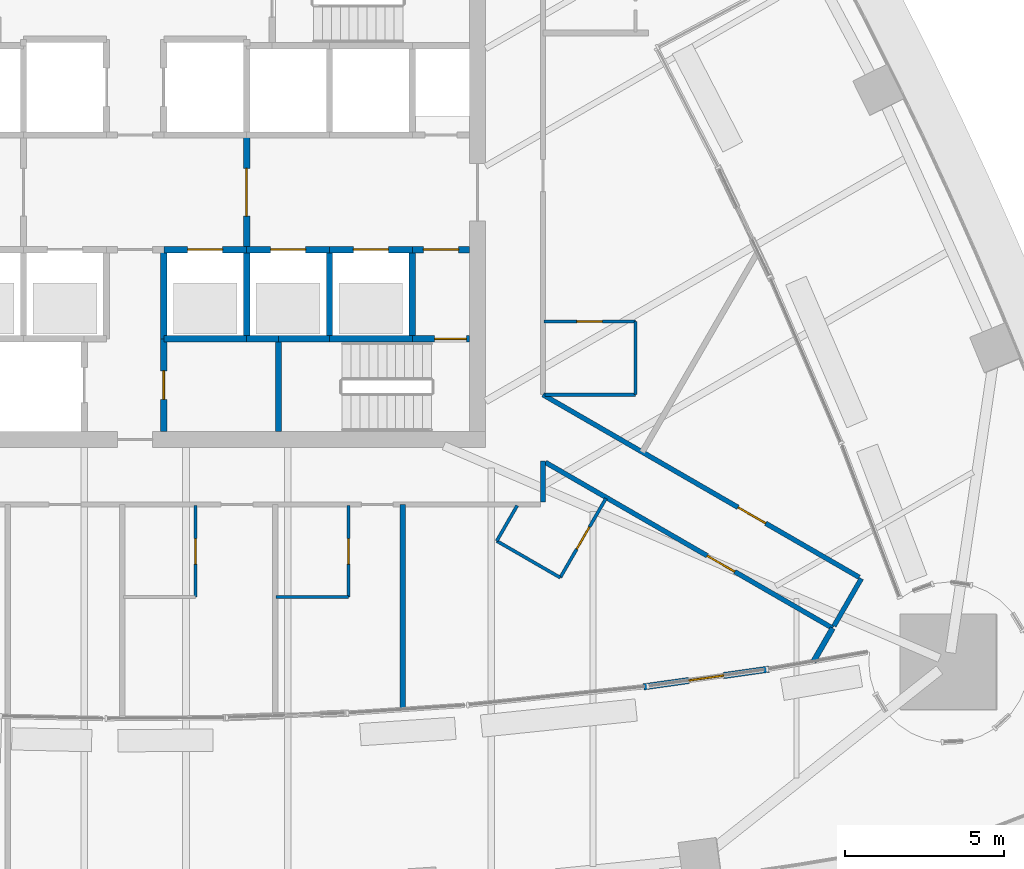
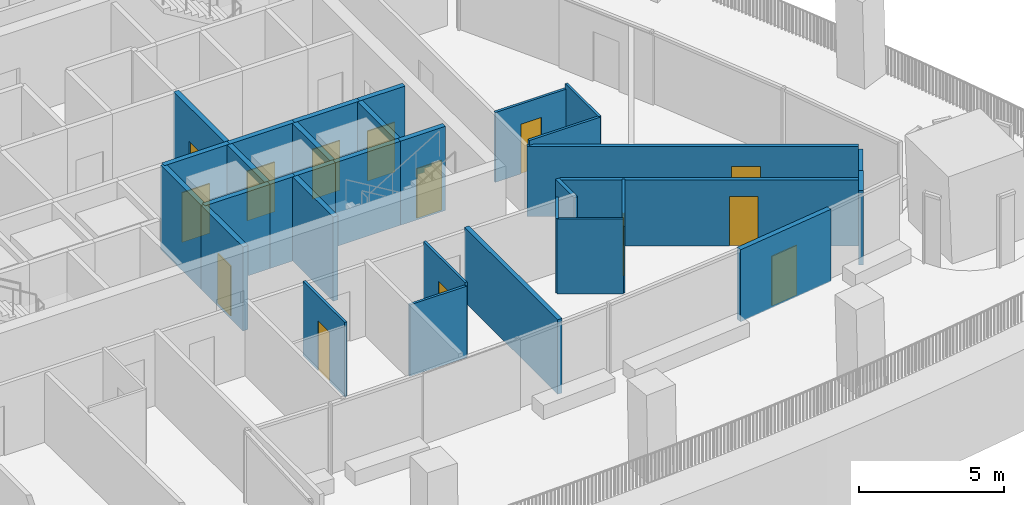
# One storey, part 13 of 22: 32 walls, 14 doors, 14 openings.
"""IFC4 building model written with IfcOpenShell, lengths in metres."""

from ifc_helpers import new_model, si_unit, direction, frame, frame_2d, origin, place, context, subcontext, project, spatial, rectangle, extrude, material, layer, layer_set, type_object, element, fill, save


model = new_model("IFC4")

# Units and contexts
model_context = context("Model", 3, precision=1e-05, world=origin(), true_north=direction((0.0, 1.0)))
body_context = subcontext(model_context, "Body", "Model", "MODEL_VIEW")
ifc_project = project(units=[si_unit("LENGTHUNIT", "METRE"), si_unit("AREAUNIT", "SQUARE_METRE"), si_unit("VOLUMEUNIT", "CUBIC_METRE"), si_unit("PLANEANGLEUNIT", "RADIAN"), si_unit("MASSUNIT", "GRAM", prefix="KILO")], contexts=[model_context])

# Site, building, storey
site_placement = place(None, origin())
site = spatial("IfcSite", under=ifc_project, at=site_placement, CompositionType="ELEMENT")
building_placement = place(site_placement, origin())
building = spatial("IfcBuilding", under=site, at=building_placement, Name="Sierra Prisma Convention Tower", CompositionType="ELEMENT")
storey_placement = place(building_placement, frame((0.0, 0.0, 103.5)))
storey = spatial("IfcBuildingStorey", under=building, at=storey_placement, Name="L22", CompositionType="ELEMENT", Elevation=103.5)

# Wall, opening, door
ifc_material_1 = material(Name="Gypsum board partition", Category="gypsum")
ifc_layer_1 = layer(ifc_material_1, 0.10009765625)
ifc_layer_set_1 = layer_set([ifc_layer_1], Name="Bathroom partition 100")
wall_type_1 = type_object("IfcWallType", Name="Bathroom partition 100", PredefinedType="PARTITIONING", material=ifc_layer_set_1)
wall_1_placement = place(storey_placement, frame((1.89990234375, -9.830078125, 0.0), z_axis=(0.0, 0.0, 1.0), x_axis=(0.0, -1.0, 0.0)))
wall_1 = element("IfcWall", 1, at=wall_1_placement, inside=storey, type_object=wall_type_1, Name="Partition L22 bath 14", PredefinedType="PARTITIONING", context=body_context, shape_type="SweptSolid", body=[
    extrude(rectangle(XDim=2.869873046875, YDim=0.10009765625, at=frame_2d((1.43505859375, 0.0))), origin(), (0.0, 0.0, 1.0), 3.14990234375),
])
opening_1_placement = place(wall_1_placement, frame((1.034912109375, 0.0, 0.0)))
opening_1 = element("IfcOpeningElement", 2, at=opening_1_placement, cuts=wall_1, Name="Opening L22-D012", PredefinedType="OPENING", context=body_context, shape_type="SweptSolid", body=[
    extrude(rectangle(XDim=0.800048828125, YDim=2.10009765625, at=frame_2d((0.39990234375, 1.050048828125))), frame((0.0, 0.050048828125, 0.0), z_axis=(0.0, -1.0, 0.0), x_axis=(1.0, 0.0, 0.0)), (0.0, 0.0, 1.0), 0.10009765625),
])
ifc_material_2 = material(Name="Solid core timber door leaf", Category="wood")
door_type_1 = type_object("IfcDoorType", Name="Door 800x2100 plain", OperationType="SINGLE_SWING_LEFT", PredefinedType="DOOR", material=ifc_material_2)
door_1_placement = place(opening_1_placement, origin())
door_1 = element("IfcDoor", 3, at=door_1_placement, inside=storey, type_object=door_type_1, Name="Door L22 23", OperationType="SINGLE_SWING_LEFT", OverallHeight=2.10009765625, OverallWidth=0.800048828125, PredefinedType="DOOR", context=body_context, shape_type="SweptSolid", body=[
    extrude(rectangle(XDim=0.800048828125, YDim=2.10009765625, at=frame_2d((0.39990234375, 1.050048828125))), frame((0.0, 0.02490234375, 0.0), z_axis=(0.0, -1.0, 0.0), x_axis=(1.0, 0.0, 0.0)), (0.0, 0.0, 1.0), 0.050048828125),
])
fill(opening_1, door_1)

wall_2_placement = place(storey_placement, frame((6.699951171875, -9.830078125, 0.0), z_axis=(0.0, 0.0, 1.0), x_axis=(0.0, -1.0, 0.0)))
wall_2 = element("IfcWall", 4, at=wall_2_placement, inside=storey, type_object=wall_type_1, Name="Partition L22 bath 18", PredefinedType="PARTITIONING", context=body_context, shape_type="SweptSolid", body=[
    extrude(rectangle(XDim=2.869873046875, YDim=0.10009765625, at=frame_2d((1.43505859375, 0.0))), origin(), (0.0, 0.0, 1.0), 3.14990234375),
])
opening_2_placement = place(wall_2_placement, frame((1.034912109375, 0.0, 0.0)))
opening_2 = element("IfcOpeningElement", 5, at=opening_2_placement, cuts=wall_2, Name="Opening L22-D013", PredefinedType="OPENING", context=body_context, shape_type="SweptSolid", body=[
    extrude(rectangle(XDim=0.800048828125, YDim=2.10009765625, at=frame_2d((0.39990234375, 1.050048828125))), frame((0.0, 0.050048828125, 0.0), z_axis=(0.0, -1.0, 0.0), x_axis=(1.0, 0.0, 0.0)), (0.0, 0.0, 1.0), 0.10009765625),
])
door_2_placement = place(opening_2_placement, origin())
door_2 = element("IfcDoor", 6, at=door_2_placement, inside=storey, type_object=door_type_1, Name="Door L22 25", OperationType="SINGLE_SWING_RIGHT", OverallHeight=2.10009765625, OverallWidth=0.800048828125, PredefinedType="DOOR", context=body_context, shape_type="SweptSolid", body=[
    extrude(rectangle(XDim=0.800048828125, YDim=2.10009765625, at=frame_2d((0.39990234375, 1.050048828125))), frame((0.0, 0.02490234375, 0.0), z_axis=(0.0, -1.0, 0.0), x_axis=(1.0, 0.0, 0.0)), (0.0, 0.0, 1.0), 0.050048828125),
])
fill(opening_2, door_2)

# Wall
wall_3_placement = place(storey_placement, frame((6.699951171875, -12.699951171875, 0.0), z_axis=(0.0, 0.0, 1.0), x_axis=(-1.0, 0.0, 0.0)))
element("IfcWall", 7, at=wall_3_placement, inside=storey, type_object=wall_type_1, Name="Partition L22 bath 19", PredefinedType="PARTITIONING", context=body_context, shape_type="SweptSolid", body=[
    extrude(rectangle(XDim=2.27001953125, YDim=0.10009765625, at=frame_2d((1.135009765625, 0.0))), origin(), (0.0, 0.0, 1.0), 3.01708984375),
])

# Wall, opening, door
wall_4_placement = place(storey_placement, frame((14.77685546875, -9.605224609375, 0.0), z_axis=(0.0, 0.0, 1.0), x_axis=(-0.499999802827, -0.866025517622, 0.0)))
wall_4 = element("IfcWall", 8, at=wall_4_placement, inside=storey, type_object=wall_type_1, Name="Partition L22 bath 20", PredefinedType="PARTITIONING", context=body_context, shape_type="SweptSolid", body=[
    extrude(rectangle(XDim=2.8701171875, YDim=0.10009765625, at=frame_2d((1.43505859375, 0.0))), origin(), (0.0, 0.0, 1.0), 2.797119140625),
])
opening_3_placement = place(wall_4_placement, frame((1.034912109375, 0.0, 0.0)))
opening_3 = element("IfcOpeningElement", 9, at=opening_3_placement, cuts=wall_4, Name="Opening L22-D014", PredefinedType="OPENING", context=body_context, shape_type="SweptSolid", body=[
    extrude(rectangle(XDim=0.800048828125, YDim=2.10009765625, at=frame_2d((0.39990234375, 1.050048828125))), frame((0.0, 0.050048828125, 0.0), z_axis=(0.0, -1.0, 0.0), x_axis=(1.0, 0.0, 0.0)), (0.0, 0.0, 1.0), 0.10009765625),
])
door_3_placement = place(opening_3_placement, origin())
door_3 = element("IfcDoor", 10, at=door_3_placement, inside=storey, type_object=door_type_1, Name="Door L22 27", OperationType="SINGLE_SWING_RIGHT", OverallHeight=2.10009765625, OverallWidth=0.800048828125, PredefinedType="DOOR", context=body_context, shape_type="SweptSolid", body=[
    extrude(rectangle(XDim=0.800048828125, YDim=2.10009765625, at=frame_2d((0.39990234375, 1.050048828125))), frame((0.0, 0.02490234375, 0.0), z_axis=(0.0, -1.0, 0.0), x_axis=(1.0, 0.0, 0.0)), (0.0, 0.0, 1.0), 0.050048828125),
])
fill(opening_3, door_3)

# Walls
wall_5_placement = place(storey_placement, frame((13.341796875, -12.0908203125, 0.0), z_axis=(0.0, 0.0, 1.0), x_axis=(-0.86602648383, 0.499998129301, 0.0)))
element("IfcWall", 11, at=wall_5_placement, inside=storey, type_object=wall_type_1, Name="Partition L22 bath 21", PredefinedType="PARTITIONING", context=body_context, shape_type="SweptSolid", body=[
    extrude(rectangle(XDim=2.2998046875, YDim=0.10009765625, at=frame_2d((1.14990234375, 0.0))), origin(), (0.0, 0.0, 1.0), 3.14990234375),
])
wall_6_placement = place(storey_placement, frame((11.35009765625, -10.94091796875, 0.0), z_axis=(0.0, 0.0, 1.0), x_axis=(0.499865263774, 0.866103179807, 0.0)))
element("IfcWall", 12, at=wall_6_placement, inside=storey, type_object=wall_type_1, Name="Partition L22 bath 22", PredefinedType="PARTITIONING", context=body_context, shape_type="SweptSolid", body=[
    extrude(rectangle(XDim=1.282470703125, YDim=0.10009765625, at=frame_2d((0.64111328125, 0.0))), origin(), (0.0, 0.0, 1.0), 3.14990234375),
])

# Wall, opening, door
wall_7_placement = place(storey_placement, frame((12.830078125, -4.05078125, 0.0), z_axis=(0.0, 0.0, 1.0), x_axis=(1.0, 0.0, 0.0)))
wall_7 = element("IfcWall", 13, at=wall_7_placement, inside=storey, type_object=wall_type_1, Name="Partition L22 bath 23", PredefinedType="PARTITIONING", context=body_context, shape_type="SweptSolid", body=[
    extrude(rectangle(XDim=2.869873046875, YDim=0.10009765625, at=frame_2d((1.43505859375, 0.0))), origin(), (0.0, 0.0, 1.0), 2.947021484375),
])
opening_4_placement = place(wall_7_placement, frame((1.034912109375, 0.0, 0.0)))
opening_4 = element("IfcOpeningElement", 14, at=opening_4_placement, cuts=wall_7, Name="Opening L22-D015", PredefinedType="OPENING", context=body_context, shape_type="SweptSolid", body=[
    extrude(rectangle(XDim=0.800048828125, YDim=2.10009765625, at=frame_2d((0.39990234375, 1.050048828125))), frame((0.0, 0.050048828125, 0.0), z_axis=(0.0, -1.0, 0.0), x_axis=(1.0, 0.0, 0.0)), (0.0, 0.0, 1.0), 0.10009765625),
])
door_4_placement = place(opening_4_placement, origin())
door_4 = element("IfcDoor", 15, at=door_4_placement, inside=storey, type_object=door_type_1, Name="Door L22 30", OperationType="SINGLE_SWING_LEFT", OverallHeight=2.10009765625, OverallWidth=0.800048828125, PredefinedType="DOOR", context=body_context, shape_type="SweptSolid", body=[
    extrude(rectangle(XDim=0.800048828125, YDim=2.10009765625, at=frame_2d((0.39990234375, 1.050048828125))), frame((0.0, 0.02490234375, 0.0), z_axis=(0.0, -1.0, 0.0), x_axis=(1.0, 0.0, 0.0)), (0.0, 0.0, 1.0), 0.050048828125),
])
fill(opening_4, door_4)

# Walls
wall_8_placement = place(storey_placement, frame((15.699951171875, -4.05078125, 0.0), z_axis=(0.0, 0.0, 1.0), x_axis=(0.0, -1.0, 0.0)))
element("IfcWall", 16, at=wall_8_placement, inside=storey, type_object=wall_type_1, Name="Partition L22 bath 24", PredefinedType="PARTITIONING", context=body_context, shape_type="SweptSolid", body=[
    extrude(rectangle(XDim=2.300048828125, YDim=0.10009765625, at=frame_2d((1.14990234375, 0.0))), origin(), (0.0, 0.0, 1.0), 3.14990234375),
])
wall_9_placement = place(storey_placement, frame((15.699951171875, -6.350830078125, 0.0), z_axis=(0.0, 0.0, 1.0), x_axis=(-1.0, 0.0, 0.0)))
element("IfcWall", 17, at=wall_9_placement, inside=storey, type_object=wall_type_1, Name="Partition L22 bath 25", PredefinedType="PARTITIONING", context=body_context, shape_type="SweptSolid", body=[
    extrude(rectangle(XDim=2.83984375, YDim=0.10009765625, at=frame_2d((1.419921875, 0.0))), origin(), (0.0, 0.0, 1.0), 3.14990234375),
])

# Wall, opening, door
ifc_material_3 = material(Name="Concrete C30/37", Category="concrete")
ifc_layer_2 = layer(ifc_material_3, 0.199951171875)
ifc_layer_set_2 = layer_set([ifc_layer_2], Name="Core wall RC 200 C30/37")
wall_type_2 = type_object("IfcWallType", Name="Core wall RC 200 C30/37", PredefinedType="SOLIDWALL", material=ifc_layer_set_2)
wall_10_placement = place(storey_placement, frame((0.89990234375, -4.60009765625, 0.0), z_axis=(0.0, 0.0, 1.0), x_axis=(0.0, -1.0, 0.0)))
wall_10 = element("IfcWall", 18, at=wall_10_placement, inside=storey, type_object=wall_type_2, Name="Core wall L22 35", PredefinedType="SOLIDWALL", context=body_context, shape_type="SweptSolid", body=[
    extrude(rectangle(XDim=2.89990234375, YDim=0.199951171875, at=frame_2d((1.449951171875, 0.0))), origin(), (0.0, 0.0, 1.0), 3.550048828125),
])
opening_5_placement = place(wall_10_placement, frame((1.0, 0.0, 0.0)))
opening_5 = element("IfcOpeningElement", 19, at=opening_5_placement, cuts=wall_10, Name="Opening L22-D037", PredefinedType="OPENING", context=body_context, shape_type="SweptSolid", body=[
    extrude(rectangle(XDim=0.89990234375, YDim=2.10009765625, at=frame_2d((0.449951171875, 1.050048828125))), frame((0.0, 0.10009765625, 0.0), z_axis=(0.0, -1.0, 0.0), x_axis=(1.0, 0.0, 0.0)), (0.0, 0.0, 1.0), 0.199951171875),
])
ifc_material_4 = material(Name="Steel fire door leaf", Category="steel")
door_type_2 = type_object("IfcDoorType", Name="Door 900x2100 FD30S", OperationType="SINGLE_SWING_LEFT", PredefinedType="DOOR", material=ifc_material_4)
door_5_placement = place(opening_5_placement, origin())
door_5 = element("IfcDoor", 20, at=door_5_placement, inside=storey, type_object=door_type_2, Name="Door L22 52", OperationType="SINGLE_SWING_RIGHT", OverallHeight=2.10009765625, OverallWidth=0.89990234375, PredefinedType="DOOR", context=body_context, shape_type="SweptSolid", body=[
    extrude(rectangle(XDim=0.89990234375, YDim=2.10009765625, at=frame_2d((0.449951171875, 1.050048828125))), frame((0.0, 0.02490234375, 0.0), z_axis=(0.0, -1.0, 0.0), x_axis=(1.0, 0.0, 0.0)), (0.0, 0.0, 1.0), 0.050048828125),
])
fill(opening_5, door_5)

# Walls
wall_11_placement = place(storey_placement, frame((3.5, -4.60009765625, 0.0), z_axis=(0.0, 0.0, 1.0), x_axis=(-1.0, 0.0, 0.0)))
element("IfcWall", 21, at=wall_11_placement, inside=storey, type_object=wall_type_2, Name="Core wall L22 36", PredefinedType="SOLIDWALL", context=body_context, shape_type="SweptSolid", body=[
    extrude(rectangle(XDim=2.60009765625, YDim=0.199951171875, at=frame_2d((1.300048828125, 0.0))), origin(), (0.0, 0.0, 1.0), 3.550048828125),
])
wall_12_placement = place(storey_placement, frame((0.89990234375, -1.800048828125, 0.0), z_axis=(0.0, 0.0, 1.0), x_axis=(0.0, -1.0, 0.0)))
element("IfcWall", 22, at=wall_12_placement, inside=storey, type_object=wall_type_2, Name="Core wall L22 37", PredefinedType="SOLIDWALL", context=body_context, shape_type="SweptSolid", body=[
    extrude(rectangle(XDim=2.800048828125, YDim=0.199951171875, at=frame_2d((1.39990234375, 0.0))), origin(), (0.0, 0.0, 1.0), 3.550048828125),
])

# Wall, opening, door
wall_13_placement = place(storey_placement, frame((0.89990234375, -1.800048828125, 0.0), z_axis=(0.0, 0.0, 1.0), x_axis=(1.0, 0.0, 0.0)))
wall_13 = element("IfcWall", 23, at=wall_13_placement, inside=storey, type_object=wall_type_2, Name="Core wall L22 38", PredefinedType="SOLIDWALL", context=body_context, shape_type="SweptSolid", body=[
    extrude(rectangle(XDim=2.60009765625, YDim=0.199951171875, at=frame_2d((1.300048828125, 0.0))), origin(), (0.0, 0.0, 1.0), 3.550048828125),
])
opening_6_placement = place(wall_13_placement, frame((0.75, 0.0, 0.0)))
opening_6 = element("IfcOpeningElement", 24, at=opening_6_placement, cuts=wall_13, Name="Opening L22-D019", PredefinedType="OPENING", context=body_context, shape_type="SweptSolid", body=[
    extrude(rectangle(XDim=1.10009765625, YDim=2.10009765625, at=frame_2d((0.550048828125, 1.050048828125))), frame((0.0, 0.10009765625, 0.0), z_axis=(0.0, -1.0, 0.0), x_axis=(1.0, 0.0, 0.0)), (0.0, 0.0, 1.0), 0.199951171875),
])
ifc_material_5 = material(Name="Steel fire door leaf", Category="steel")
door_type_3 = type_object("IfcDoorType", Name="Door 1100x2100 EI 90 sliding lift landing", OperationType="SLIDING_TO_LEFT", PredefinedType="DOOR", material=ifc_material_5)
door_6_placement = place(opening_6_placement, origin())
door_6 = element("IfcDoor", 25, at=door_6_placement, inside=storey, type_object=door_type_3, Name="Door L22 34", OperationType="SLIDING_TO_RIGHT", OverallHeight=2.10009765625, OverallWidth=1.10009765625, PredefinedType="DOOR", context=body_context, shape_type="SweptSolid", body=[
    extrude(rectangle(XDim=1.10009765625, YDim=2.10009765625, at=frame_2d((0.550048828125, 1.050048828125))), frame((0.0, 0.02490234375, 0.0), z_axis=(0.0, -1.0, 0.0), x_axis=(1.0, 0.0, 0.0)), (0.0, 0.0, 1.0), 0.050048828125),
])
fill(opening_6, door_6)

# Walls
wall_14_placement = place(storey_placement, frame((4.5, -4.60009765625, 0.0), z_axis=(0.0, 0.0, 1.0), x_axis=(-1.0, 0.0, 0.0)))
element("IfcWall", 26, at=wall_14_placement, inside=storey, type_object=wall_type_2, Name="Core wall L22 43", PredefinedType="SOLIDWALL", context=body_context, shape_type="SweptSolid", body=[
    extrude(rectangle(XDim=1.0, YDim=0.199951171875, at=frame_2d((0.5, 0.0))), origin(), (0.0, 0.0, 1.0), 3.550048828125),
])
wall_15_placement = place(storey_placement, frame((3.5, -4.60009765625, 0.0), z_axis=(0.0, 0.0, 1.0), x_axis=(0.0, 1.0, 0.0)))
element("IfcWall", 27, at=wall_15_placement, inside=storey, type_object=wall_type_2, Name="Core wall L22 44", PredefinedType="SOLIDWALL", context=body_context, shape_type="SweptSolid", body=[
    extrude(rectangle(XDim=2.800048828125, YDim=0.199951171875, at=frame_2d((1.39990234375, 0.0))), origin(), (0.0, 0.0, 1.0), 3.550048828125),
])

# Wall, opening, door
wall_16_placement = place(storey_placement, frame((3.5, -1.800048828125, 0.0), z_axis=(0.0, 0.0, 1.0), x_axis=(1.0, 0.0, 0.0)))
wall_16 = element("IfcWall", 28, at=wall_16_placement, inside=storey, type_object=wall_type_2, Name="Core wall L22 45", PredefinedType="SOLIDWALL", context=body_context, shape_type="SweptSolid", body=[
    extrude(rectangle(XDim=2.60009765625, YDim=0.199951171875, at=frame_2d((1.300048828125, 0.0))), origin(), (0.0, 0.0, 1.0), 3.550048828125),
])
opening_7_placement = place(wall_16_placement, frame((0.75, 0.0, 0.0)))
opening_7 = element("IfcOpeningElement", 29, at=opening_7_placement, cuts=wall_16, Name="Opening L22-D020", PredefinedType="OPENING", context=body_context, shape_type="SweptSolid", body=[
    extrude(rectangle(XDim=1.10009765625, YDim=2.10009765625, at=frame_2d((0.550048828125, 1.050048828125))), frame((0.0, 0.10009765625, 0.0), z_axis=(0.0, -1.0, 0.0), x_axis=(1.0, 0.0, 0.0)), (0.0, 0.0, 1.0), 0.199951171875),
])
door_7_placement = place(opening_7_placement, origin())
door_7 = element("IfcDoor", 30, at=door_7_placement, inside=storey, type_object=door_type_3, Name="Door L22 35", OperationType="SLIDING_TO_LEFT", OverallHeight=2.10009765625, OverallWidth=1.10009765625, PredefinedType="DOOR", context=body_context, shape_type="SweptSolid", body=[
    extrude(rectangle(XDim=1.10009765625, YDim=2.10009765625, at=frame_2d((0.550048828125, 1.050048828125))), frame((0.0, 0.02490234375, 0.0), z_axis=(0.0, -1.0, 0.0), x_axis=(1.0, 0.0, 0.0)), (0.0, 0.0, 1.0), 0.050048828125),
])
fill(opening_7, door_7)

wall_17_placement = place(storey_placement, frame((3.5, -1.800048828125, 0.0), z_axis=(0.0, 0.0, 1.0), x_axis=(0.0, 1.0, 0.0)))
wall_17 = element("IfcWall", 31, at=wall_17_placement, inside=storey, type_object=wall_type_2, Name="Core wall L22 46", PredefinedType="SOLIDWALL", context=body_context, shape_type="SweptSolid", body=[
    extrude(rectangle(XDim=3.60009765625, YDim=0.199951171875, at=frame_2d((1.800048828125, 0.0))), origin(), (0.0, 0.0, 1.0), 3.550048828125),
])
opening_8_placement = place(wall_17_placement, frame((1.050048828125, 0.0, 0.0)))
opening_8 = element("IfcOpeningElement", 32, at=opening_8_placement, cuts=wall_17, Name="Opening L22-D026", PredefinedType="OPENING", context=body_context, shape_type="SweptSolid", body=[
    extrude(rectangle(XDim=1.5, YDim=2.10009765625, at=frame_2d((0.75, 1.050048828125))), frame((0.0, 0.10009765625, 0.0), z_axis=(0.0, -1.0, 0.0), x_axis=(1.0, 0.0, 0.0)), (0.0, 0.0, 1.0), 0.199951171875),
])
ifc_material_6 = material(Name="Steel fire door leaf", Category="steel")
door_type_4 = type_object("IfcDoorType", Name="Door 1500x2100 FD30S", OperationType="DOUBLE_DOOR_SINGLE_SWING", PredefinedType="DOOR", material=ifc_material_6)
door_8_placement = place(opening_8_placement, origin())
door_8 = element("IfcDoor", 33, at=door_8_placement, inside=storey, type_object=door_type_4, Name="Door L22 41", OperationType="DOUBLE_DOOR_SINGLE_SWING", OverallHeight=2.10009765625, OverallWidth=1.5, PredefinedType="DOOR", context=body_context, shape_type="SweptSolid", body=[
    extrude(rectangle(XDim=1.5, YDim=2.10009765625, at=frame_2d((0.75, 1.050048828125))), frame((0.0, 0.02490234375, 0.0), z_axis=(0.0, -1.0, 0.0), x_axis=(1.0, 0.0, 0.0)), (0.0, 0.0, 1.0), 0.050048828125),
])
fill(opening_8, door_8)

# Walls
wall_18_placement = place(storey_placement, frame((4.5, -7.5, 0.0), z_axis=(0.0, 0.0, 1.0), x_axis=(0.0, 1.0, 0.0)))
element("IfcWall", 34, at=wall_18_placement, inside=storey, type_object=wall_type_2, Name="Core wall L22 52", PredefinedType="SOLIDWALL", context=body_context, shape_type="SweptSolid", body=[
    extrude(rectangle(XDim=2.89990234375, YDim=0.199951171875, at=frame_2d((1.449951171875, 0.0))), origin(), (0.0, 0.0, 1.0), 3.550048828125),
])
wall_19_placement = place(storey_placement, frame((4.5, -4.60009765625, 0.0), z_axis=(0.0, 0.0, 1.0), x_axis=(1.0, 0.0, 0.0)))
element("IfcWall", 35, at=wall_19_placement, inside=storey, type_object=wall_type_2, Name="Core wall L22 53", PredefinedType="SOLIDWALL", context=body_context, shape_type="SweptSolid", body=[
    extrude(rectangle(XDim=1.60009765625, YDim=0.199951171875, at=frame_2d((0.800048828125, 0.0))), origin(), (0.0, 0.0, 1.0), 3.550048828125),
])
wall_20_placement = place(storey_placement, frame((6.10009765625, -4.60009765625, 0.0), z_axis=(0.0, 0.0, 1.0), x_axis=(1.0, 0.0, 0.0)))
element("IfcWall", 36, at=wall_20_placement, inside=storey, type_object=wall_type_2, Name="Core wall L22 54", PredefinedType="SOLIDWALL", context=body_context, shape_type="SweptSolid", body=[
    extrude(rectangle(XDim=2.599853515625, YDim=0.199951171875, at=frame_2d((1.2998046875, 0.0))), origin(), (0.0, 0.0, 1.0), 3.550048828125),
])
wall_21_placement = place(storey_placement, frame((6.10009765625, -4.60009765625, 0.0), z_axis=(0.0, 0.0, 1.0), x_axis=(0.0, 1.0, 0.0)))
element("IfcWall", 37, at=wall_21_placement, inside=storey, type_object=wall_type_2, Name="Core wall L22 55", PredefinedType="SOLIDWALL", context=body_context, shape_type="SweptSolid", body=[
    extrude(rectangle(XDim=2.800048828125, YDim=0.199951171875, at=frame_2d((1.39990234375, 0.0))), origin(), (0.0, 0.0, 1.0), 3.550048828125),
])

# Wall, opening, door
wall_22_placement = place(storey_placement, frame((6.10009765625, -1.800048828125, 0.0), z_axis=(0.0, 0.0, 1.0), x_axis=(1.0, 0.0, 0.0)))
wall_22 = element("IfcWall", 38, at=wall_22_placement, inside=storey, type_object=wall_type_2, Name="Core wall L22 56", PredefinedType="SOLIDWALL", context=body_context, shape_type="SweptSolid", body=[
    extrude(rectangle(XDim=2.599853515625, YDim=0.199951171875, at=frame_2d((1.2998046875, 0.0))), origin(), (0.0, 0.0, 1.0), 3.550048828125),
])
opening_9_placement = place(wall_22_placement, frame((0.75, 0.0, 0.0)))
opening_9 = element("IfcOpeningElement", 39, at=opening_9_placement, cuts=wall_22, Name="Opening L22-D021", PredefinedType="OPENING", context=body_context, shape_type="SweptSolid", body=[
    extrude(rectangle(XDim=1.10009765625, YDim=2.10009765625, at=frame_2d((0.550048828125, 1.050048828125))), frame((0.0, 0.10009765625, 0.0), z_axis=(0.0, -1.0, 0.0), x_axis=(1.0, 0.0, 0.0)), (0.0, 0.0, 1.0), 0.199951171875),
])
door_9_placement = place(opening_9_placement, origin())
door_9 = element("IfcDoor", 40, at=door_9_placement, inside=storey, type_object=door_type_3, Name="Door L22 36", OperationType="SLIDING_TO_RIGHT", OverallHeight=2.10009765625, OverallWidth=1.10009765625, PredefinedType="DOOR", context=body_context, shape_type="SweptSolid", body=[
    extrude(rectangle(XDim=1.10009765625, YDim=2.10009765625, at=frame_2d((0.550048828125, 1.050048828125))), frame((0.0, 0.02490234375, 0.0), z_axis=(0.0, -1.0, 0.0), x_axis=(1.0, 0.0, 0.0)), (0.0, 0.0, 1.0), 0.050048828125),
])
fill(opening_9, door_9)

wall_23_placement = place(storey_placement, frame((8.699951171875, -4.60009765625, 0.0), z_axis=(0.0, 0.0, 1.0), x_axis=(1.0, 0.0, 0.0)))
wall_23 = element("IfcWall", 41, at=wall_23_placement, inside=storey, type_object=wall_type_2, Name="Core wall L22 60", PredefinedType="SOLIDWALL", context=body_context, shape_type="SweptSolid", body=[
    extrude(rectangle(XDim=1.800048828125, YDim=0.199951171875, at=frame_2d((0.89990234375, 0.0))), origin(), (0.0, 0.0, 1.0), 3.550048828125),
])
opening_10_placement = place(wall_23_placement, frame((0.699951171875, 0.0, 0.0)))
opening_10 = element("IfcOpeningElement", 42, at=opening_10_placement, cuts=wall_23, Name="Opening L22-D034", PredefinedType="OPENING", context=body_context, shape_type="SweptSolid", body=[
    extrude(rectangle(XDim=1.0, YDim=2.10009765625, at=frame_2d((0.5, 1.050048828125))), frame((0.0, 0.10009765625, 0.0), z_axis=(0.0, -1.0, 0.0), x_axis=(1.0, 0.0, 0.0)), (0.0, 0.0, 1.0), 0.199951171875),
])
ifc_material_7 = material(Name="Steel fire door leaf", Category="steel")
door_type_5 = type_object("IfcDoorType", Name="Door 1000x2100 FD90S", OperationType="SINGLE_SWING_LEFT", PredefinedType="DOOR", material=ifc_material_7)
door_10_placement = place(opening_10_placement, origin())
door_10 = element("IfcDoor", 43, at=door_10_placement, inside=storey, type_object=door_type_5, Name="Door L22 49", OperationType="SINGLE_SWING_RIGHT", OverallHeight=2.10009765625, OverallWidth=1.0, PredefinedType="DOOR", context=body_context, shape_type="SweptSolid", body=[
    extrude(rectangle(XDim=1.0, YDim=2.10009765625, at=frame_2d((0.5, 1.050048828125))), frame((0.0, 0.02490234375, 0.0), z_axis=(0.0, -1.0, 0.0), x_axis=(1.0, 0.0, 0.0)), (0.0, 0.0, 1.0), 0.050048828125),
])
fill(opening_10, door_10)

# Wall
wall_24_placement = place(storey_placement, frame((8.699951171875, -1.800048828125, 0.0), z_axis=(0.0, 0.0, 1.0), x_axis=(0.0, -1.0, 0.0)))
element("IfcWall", 44, at=wall_24_placement, inside=storey, type_object=wall_type_2, Name="Core wall L22 61", PredefinedType="SOLIDWALL", context=body_context, shape_type="SweptSolid", body=[
    extrude(rectangle(XDim=2.800048828125, YDim=0.199951171875, at=frame_2d((1.39990234375, 0.0))), origin(), (0.0, 0.0, 1.0), 3.550048828125),
])

# Wall, opening, door
wall_25_placement = place(storey_placement, frame((8.699951171875, -1.800048828125, 0.0), z_axis=(0.0, 0.0, 1.0), x_axis=(1.0, 0.0, 0.0)))
wall_25 = element("IfcWall", 45, at=wall_25_placement, inside=storey, type_object=wall_type_2, Name="Core wall L22 62", PredefinedType="SOLIDWALL", context=body_context, shape_type="SweptSolid", body=[
    extrude(rectangle(XDim=1.800048828125, YDim=0.199951171875, at=frame_2d((0.89990234375, 0.0))), origin(), (0.0, 0.0, 1.0), 3.550048828125),
])
opening_11_placement = place(wall_25_placement, frame((0.35009765625, 0.0, 0.0)))
opening_11 = element("IfcOpeningElement", 46, at=opening_11_placement, cuts=wall_25, Name="Opening L22-D028", PredefinedType="OPENING", context=body_context, shape_type="SweptSolid", body=[
    extrude(rectangle(XDim=1.10009765625, YDim=2.10009765625, at=frame_2d((0.550048828125, 1.050048828125))), frame((0.0, 0.10009765625, 0.0), z_axis=(0.0, -1.0, 0.0), x_axis=(1.0, 0.0, 0.0)), (0.0, 0.0, 1.0), 0.199951171875),
])
ifc_material_8 = material(Name="Steel fire door leaf", Category="steel")
door_type_6 = type_object("IfcDoorType", Name="Door 1100x2100 FD90S", OperationType="SINGLE_SWING_LEFT", PredefinedType="DOOR", material=ifc_material_8)
door_11_placement = place(opening_11_placement, origin())
door_11 = element("IfcDoor", 47, at=door_11_placement, inside=storey, type_object=door_type_6, Name="Door L22 43", OperationType="SINGLE_SWING_RIGHT", OverallHeight=2.10009765625, OverallWidth=1.10009765625, PredefinedType="DOOR", context=body_context, shape_type="SweptSolid", body=[
    extrude(rectangle(XDim=1.10009765625, YDim=2.10009765625, at=frame_2d((0.550048828125, 1.050048828125))), frame((0.0, 0.02490234375, 0.0), z_axis=(0.0, -1.0, 0.0), x_axis=(1.0, 0.0, 0.0)), (0.0, 0.0, 1.0), 0.050048828125),
])
fill(opening_11, door_11)

# Wall
ifc_material_9 = material(Name="Gypsum board partition", Category="gypsum")
ifc_layer_3 = layer(ifc_material_9, 0.14990234375)
ifc_layer_set_3 = layer_set([ifc_layer_3], Name="Corridor wall 150 gypsum EI 60")
wall_type_3 = type_object("IfcWallType", Name="Corridor wall 150 gypsum EI 60", PredefinedType="PARTITIONING", material=ifc_layer_set_3)
wall_26_placement = place(storey_placement, frame((12.800048828125, -9.719970703125, 0.0), z_axis=(0.0, 0.0, 1.0), x_axis=(0.0, 1.0, 0.0)))
element("IfcWall", 48, at=wall_26_placement, inside=storey, type_object=wall_type_3, Name="Partition L22 corr 14", PredefinedType="PARTITIONING", context=body_context, shape_type="SweptSolid", body=[
    extrude(rectangle(XDim=1.290771484375, YDim=0.14990234375, at=frame_2d((0.6455078125, 0.0))), origin(), (0.0, 0.0, 1.0), 2.797119140625),
])

# Wall, opening, door
wall_27_placement = place(storey_placement, frame((12.87939453125, -8.47509765625, 0.0), z_axis=(0.0, 0.0, 1.0), x_axis=(0.866019944116, -0.500009456303, 0.0)))
wall_27 = element("IfcWall", 49, at=wall_27_placement, inside=storey, type_object=wall_type_3, Name="Partition L22 corr 15", PredefinedType="PARTITIONING", context=body_context, shape_type="SweptSolid", body=[
    extrude(rectangle(XDim=10.406982421875, YDim=0.14990234375, at=frame_2d((5.20361328125, 0.0))), origin(), (0.0, 0.0, 1.0), 2.797119140625),
])
opening_12_placement = place(wall_27_placement, frame((5.85791015625, 0.0, 0.0)))
opening_12 = element("IfcOpeningElement", 50, at=opening_12_placement, cuts=wall_27, Name="Opening L22-D053", PredefinedType="OPENING", context=body_context, shape_type="SweptSolid", body=[
    extrude(rectangle(XDim=1.0, YDim=2.10009765625, at=frame_2d((0.5, 1.050048828125))), frame((0.0, 0.074951171875, 0.0), z_axis=(0.0, -1.0, 0.0), x_axis=(1.0, 0.0, 0.0)), (0.0, 0.0, 1.0), 0.14990234375),
])
ifc_material_10 = material(Name="Steel fire door leaf", Category="steel")
door_type_7 = type_object("IfcDoorType", Name="Door 1000x2100 FD30S", OperationType="SINGLE_SWING_LEFT", PredefinedType="DOOR", material=ifc_material_10)
door_12_placement = place(opening_12_placement, origin())
door_12 = element("IfcDoor", 51, at=door_12_placement, inside=storey, type_object=door_type_7, Name="Door L22 26", OperationType="SINGLE_SWING_LEFT", OverallHeight=2.10009765625, OverallWidth=1.0, PredefinedType="DOOR", context=body_context, shape_type="SweptSolid", body=[
    extrude(rectangle(XDim=1.0, YDim=2.10009765625, at=frame_2d((0.5, 1.050048828125))), frame((0.0, 0.02490234375, 0.0), z_axis=(0.0, -1.0, 0.0), x_axis=(1.0, 0.0, 0.0)), (0.0, 0.0, 1.0), 0.050048828125),
])
fill(opening_12, door_12)

# Wall
wall_28_placement = place(storey_placement, frame((21.93212890625, -13.609375, 0.0), z_axis=(0.0, 0.0, 1.0), x_axis=(0.500062383118, 0.865989383878, 0.0)))
element("IfcWall", 52, at=wall_28_placement, inside=storey, type_object=wall_type_3, Name="Partition L22 corr 16", PredefinedType="PARTITIONING", context=body_context, shape_type="SweptSolid", body=[
    extrude(rectangle(XDim=1.719970703125, YDim=0.14990234375, at=frame_2d((0.85986328125, 0.0))), origin(), (0.0, 0.0, 1.0), 2.797119140625),
])

# Wall, opening, door
wall_29_placement = place(storey_placement, frame((22.722900390625, -12.079833984375, 0.0), z_axis=(0.0, 0.0, 1.0), x_axis=(-0.866023783073, 0.500002807145, 0.0)))
wall_29 = element("IfcWall", 53, at=wall_29_placement, inside=storey, type_object=wall_type_3, Name="Partition L22 corr 17", PredefinedType="PARTITIONING", context=body_context, shape_type="SweptSolid", body=[
    extrude(rectangle(XDim=11.4580078125, YDim=0.14990234375, at=frame_2d((5.72900390625, 0.0))), origin(), (0.0, 0.0, 1.0), 2.947021484375),
])
opening_13_placement = place(wall_29_placement, frame((3.388916015625, 0.0, 0.0)))
opening_13 = element("IfcOpeningElement", 54, at=opening_13_placement, cuts=wall_29, Name="Opening L22-D054", PredefinedType="OPENING", context=body_context, shape_type="SweptSolid", body=[
    extrude(rectangle(XDim=1.0, YDim=2.10009765625, at=frame_2d((0.5, 1.050048828125))), frame((0.0, 0.074951171875, 0.0), z_axis=(0.0, -1.0, 0.0), x_axis=(1.0, 0.0, 0.0)), (0.0, 0.0, 1.0), 0.14990234375),
])
door_13_placement = place(opening_13_placement, origin())
door_13 = element("IfcDoor", 55, at=door_13_placement, inside=storey, type_object=door_type_7, Name="Door L22 28", OperationType="SINGLE_SWING_LEFT", OverallHeight=2.10009765625, OverallWidth=1.0, PredefinedType="DOOR", context=body_context, shape_type="SweptSolid", body=[
    extrude(rectangle(XDim=1.0, YDim=2.10009765625, at=frame_2d((0.5, 1.050048828125))), frame((0.0, 0.02490234375, 0.0), z_axis=(0.0, -1.0, 0.0), x_axis=(1.0, 0.0, 0.0)), (0.0, 0.0, 1.0), 0.050048828125),
])
fill(opening_13, door_13)

# Walls
ifc_material_11 = material(Name="Acoustic gypsum board partition", Category="gypsum")
ifc_layer_4 = layer(ifc_material_11, 0.175048828125)
ifc_layer_set_4 = layer_set([ifc_layer_4], Name="Guest room party wall 175 acoustic EI 60")
wall_type_4 = type_object("IfcWallType", Name="Guest room party wall 175 acoustic EI 60", PredefinedType="PARTITIONING", material=ifc_layer_set_4)
wall_30_placement = place(storey_placement, frame((8.39990234375, -9.800048828125, 0.0), z_axis=(0.0, 0.0, 1.0), x_axis=(0.0, -1.0, 0.0)))
element("IfcWall", 56, at=wall_30_placement, inside=storey, type_object=wall_type_4, Name="Partition L22 hparty 16", PredefinedType="PARTITIONING", context=body_context, shape_type="SweptSolid", body=[
    extrude(rectangle(XDim=6.44140625, YDim=0.175048828125, at=frame_2d((3.220703125, 0.0))), origin(), (0.0, 0.0, 1.0), 3.14990234375),
])
wall_31_placement = place(storey_placement, frame((21.89208984375, -13.6787109375, 0.0), z_axis=(0.0, 0.0, 1.0), x_axis=(-0.499896243657, -0.866085299251, 0.0)))
element("IfcWall", 57, at=wall_31_placement, inside=storey, type_object=wall_type_4, Name="Partition L22 hparty 21", PredefinedType="PARTITIONING", context=body_context, shape_type="SweptSolid", body=[
    extrude(rectangle(XDim=1.216064453125, YDim=0.175048828125, at=frame_2d((0.60791015625, 0.0))), origin(), (0.0, 0.0, 1.0), 3.14990234375),
])

# Wall, opening, door
ifc_material_12 = material(Name="Precast concrete C40/50", Category="concrete")
ifc_layer_5 = layer(ifc_material_12, 0.199951171875)
ifc_layer_set_5 = layer_set([ifc_layer_5], Name="Terrace door pier")
wall_type_5 = type_object("IfcWallType", Name="Terrace door pier", PredefinedType="SOLIDWALL", material=ifc_layer_set_5)
wall_32_placement = place(storey_placement, frame((15.961181640625, -15.51953125, 0.0), z_axis=(0.0, 0.0, 1.0), x_axis=(0.990119893165, 0.140223383067, 0.0)))
wall_32 = element("IfcWall", 58, at=wall_32_placement, inside=storey, type_object=wall_type_5, Name="Terrace door bay L22.6", PredefinedType="SOLIDWALL", context=body_context, shape_type="SweptSolid", body=[
    extrude(rectangle(XDim=3.96630859375, YDim=0.199951171875, at=frame_2d((1.983154296875, 0.0))), origin(), (0.0, 0.0, 1.0), 3.0400390625),
])
opening_14_placement = place(wall_32_placement, frame((1.43310546875, 0.0, 0.0)))
opening_14 = element("IfcOpeningElement", 59, at=opening_14_placement, cuts=wall_32, Name="Opening L22-D003", PredefinedType="OPENING", context=body_context, shape_type="SweptSolid", body=[
    extrude(rectangle(XDim=1.10009765625, YDim=2.10009765625, at=frame_2d((0.550048828125, 1.050048828125))), frame((0.0, 0.10009765625, 0.0), z_axis=(0.0, -1.0, 0.0), x_axis=(1.0, 0.0, 0.0)), (0.0, 0.0, 1.0), 0.199951171875),
])
ifc_material_13 = material(Name="Bronze anodised aluminium and glass", Category="aluminium")
door_type_8 = type_object("IfcDoorType", Name="Terrace door 1100 x 2100", OperationType="SINGLE_SWING_LEFT", PredefinedType="DOOR", material=ifc_material_13)
door_14_placement = place(opening_14_placement, origin())
door_14 = element("IfcDoor", 60, at=door_14_placement, inside=storey, type_object=door_type_8, Name="Terrace door L22.6", OperationType="SINGLE_SWING_RIGHT", OverallHeight=2.10009765625, OverallWidth=1.10009765625, PredefinedType="DOOR", context=body_context, shape_type="SweptSolid", body=[
    extrude(rectangle(XDim=1.10009765625, YDim=2.10009765625, at=frame_2d((0.550048828125, 1.050048828125))), frame((0.0, 0.02490234375, 0.0), z_axis=(0.0, -1.0, 0.0), x_axis=(1.0, 0.0, 0.0)), (0.0, 0.0, 1.0), 0.050048828125),
])
fill(opening_14, door_14)

save(model, "model.ifc")
